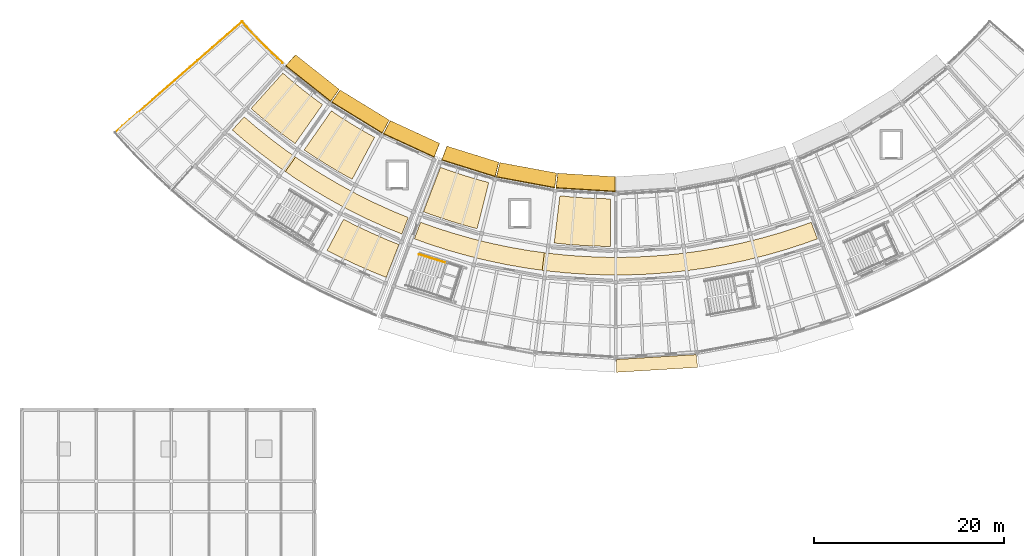
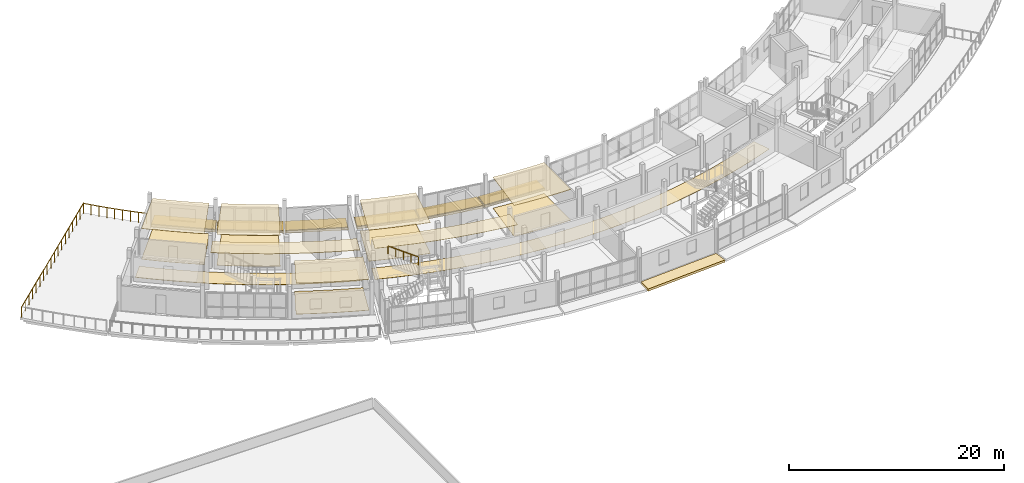
# One storey, part 33 of 36: 21 coverings, 6 shading devices, 3 railings.
"""IFC4 building model written with IfcOpenShell, lengths in metres."""

import ifcopenshell
import ifcopenshell.guid

model = None  # the IFC model being written
_history = None  # IfcOwnerHistory: only IFC2X3 demands one
_inside = {}  # id of a spatial element -> (the spatial element, [elements in it])
_under = {}  # id of a project, library or spatial element -> (it, [spatial elements below it])
_declared = {}  # id of a project -> (the project, [libraries it declares])
_typed = {}  # id of a type object -> (the type object, [elements of that type])
_made_of = {}  # id of a material, layer set ... -> (it, [elements and type objects made of it])


def new_model(schema):
    """Start an empty IFC model of exactly this schema.

    Asked for "IFC4X3", IfcOpenShell would pick the latest addendum, in which some entities
    have other attributes; the version numbers below select the first issue.
    IFC2X3 requires an IfcOwnerHistory on every rooted entity: one is made here for all.
    """
    global model, _history
    if schema == "IFC4X3":
        model = ifcopenshell.file(schema_version=(4, 3, 0, 0))
    else:
        model = ifcopenshell.file(schema=schema)
    _inside.clear()
    _under.clear()
    _declared.clear()
    _typed.clear()
    _made_of.clear()
    _history = None
    if model.schema == "IFC2X3":
        org = make("IfcOrganization", Name="unknown")
        user = make(
            "IfcPersonAndOrganization",
            ThePerson=make("IfcPerson", FamilyName="unknown"),
            TheOrganization=org,
        )
        app = make(
            "IfcApplication",
            ApplicationDeveloper=org,
            Version="unknown",
            ApplicationFullName="unknown",
            ApplicationIdentifier="unknown",
        )
        _history = make(
            "IfcOwnerHistory",
            OwningUser=user,
            OwningApplication=app,
            ChangeAction="ADDED",
            CreationDate=0,
        )
    return model


def make(cls, **values):
    """One entity of the class cls with the attributes given. An attribute that is None is left unset."""
    return model.create_entity(
        cls, **{name: value for name, value in values.items() if value is not None}
    )


def rooted(cls, **values):
    """An entity with a GlobalId (a new one), such as an element, a storey or a relation."""
    return make(cls, GlobalId=ifcopenshell.guid.new(), OwnerHistory=_history, **values)


def si_unit(unit_type, name, prefix=None):
    """IfcSIUnit, for example si_unit("LENGTHUNIT", "METRE", prefix="MILLI")."""
    return make("IfcSIUnit", UnitType=unit_type, Prefix=prefix, Name=name)


def assignment(units):
    """IfcUnitAssignment: the units of a project."""
    return None if units is None else make("IfcUnitAssignment", Units=units)


def point(xyz):
    """IfcCartesianPoint."""
    return None if xyz is None else make("IfcCartesianPoint", Coordinates=xyz)


def direction(xyz):
    """IfcDirection."""
    return None if xyz is None else make("IfcDirection", DirectionRatios=xyz)


def frame(location, z_axis=None, x_axis=None):
    """IfcAxis2Placement3D, a coordinate frame: its origin and axes. An axis left out is left unset."""
    return make(
        "IfcAxis2Placement3D",
        Location=point(location),
        Axis=direction(z_axis),
        RefDirection=direction(x_axis),
    )


def frame_2d(location, x_axis=None):
    """IfcAxis2Placement2D, a coordinate frame in the plane: its origin and x axis."""
    return make(
        "IfcAxis2Placement2D", Location=point(location), RefDirection=direction(x_axis)
    )


def origin():
    """The frame at (0, 0, 0) with its axes left unset."""
    return frame((0.0, 0.0, 0.0))


def origin_2d():
    """The frame at (0, 0) in the plane with its x axis left unset."""
    return frame_2d((0.0, 0.0))


def place(relative_to, where):
    """IfcLocalPlacement: puts the frame where relative to a parent placement (None: the world)."""
    return make(
        "IfcLocalPlacement", PlacementRelTo=relative_to, RelativePlacement=where
    )


def context(
    kind, dimensions, precision=None, world=None, true_north=None, identifier=None
):
    """IfcGeometricRepresentationContext, for example the 3D "Model" context."""
    return make(
        "IfcGeometricRepresentationContext",
        ContextIdentifier=identifier,
        ContextType=kind,
        CoordinateSpaceDimension=dimensions,
        Precision=precision,
        WorldCoordinateSystem=world,
        TrueNorth=true_north,
    )


def subcontext(parent, identifier, kind, view, scale=None):
    """IfcGeometricRepresentationSubContext, for example "Body" below "Model"."""
    return make(
        "IfcGeometricRepresentationSubContext",
        ContextIdentifier=identifier,
        ContextType=kind,
        ParentContext=parent,
        TargetScale=scale,
        TargetView=view,
    )


def project(units=None, contexts=None):
    """IfcProject with its units and contexts."""
    return rooted(
        "IfcProject",
        Name="project",
        RepresentationContexts=contexts,
        UnitsInContext=assignment(units),
    )


def spatial(cls, under=None, at=None, **own):
    """A site, building, storey or space (cls), placed at a placement, below another one or the project."""
    s = rooted(cls, ObjectPlacement=at, **own)
    if under is not None:
        _under.setdefault(under.id(), (under, []))[1].append(s)
    return s


def polyline(points):
    """IfcPolyline through the points."""
    return make("IfcPolyline", Points=[point(p) for p in points])


def profile(cls, at=None, kind="AREA", **sizes):
    """A parametric profile (cls). Its sizes go by their IFC names, for example OverallWidth=200.0."""
    return make(cls, ProfileType=kind, Position=at, **sizes)


def circle(**sizes):
    """IfcCircleProfileDef."""
    return profile("IfcCircleProfileDef", **sizes)


def outline(outer, holes=None, kind="AREA"):
    """IfcArbitraryClosedProfileDef: a profile drawn as a closed curve; with holes, ...WithVoids."""
    if holes is None:
        return make("IfcArbitraryClosedProfileDef", ProfileType=kind, OuterCurve=outer)
    return make(
        "IfcArbitraryProfileDefWithVoids",
        ProfileType=kind,
        OuterCurve=outer,
        InnerCurves=holes,
    )


def extrude(swept, where, along, depth):
    """IfcExtrudedAreaSolid: the profile swept, set in the frame where, extruded along a direction by depth."""
    return make(
        "IfcExtrudedAreaSolid",
        SweptArea=swept,
        Position=where,
        ExtrudedDirection=direction(along),
        Depth=depth,
    )


def shape(context_of_items, identifier, shape_type, items):
    """IfcShapeRepresentation: the items that make up one representation, for example the "Body"."""
    return make(
        "IfcShapeRepresentation",
        ContextOfItems=context_of_items,
        RepresentationIdentifier=identifier,
        RepresentationType=shape_type,
        Items=items,
    )


def material(Name=None, Category=None):
    """IfcMaterial."""
    return make("IfcMaterial", Name=Name, Category=Category)


def layer(
    of_material, thickness, ventilated=None, Name=None, Category=None, Priority=None
):
    """IfcMaterialLayer: one layer of a wall or slab, of a material (None: an air gap)."""
    return make(
        "IfcMaterialLayer",
        Material=of_material,
        LayerThickness=thickness,
        IsVentilated=ventilated,
        Name=Name,
        Category=Category,
        Priority=Priority,
    )


def layer_set(layers, Name=None):
    """IfcMaterialLayerSet."""
    return make("IfcMaterialLayerSet", MaterialLayers=layers, LayerSetName=Name)


def made_of(thing, what):
    """Note that an element or type object is made of a material, layer set ...; save() writes the relation."""
    if what is not None:
        _made_of.setdefault(what.id(), (what, []))[1].append(thing)
    return thing


def type_object(cls, material=None, **own):
    """A type object (cls), such as IfcWallType, which elements share."""
    return made_of(rooted(cls, **own), material)


def element(
    cls,
    number,
    at=None,
    inside=None,
    cuts=None,
    type_object=None,
    material=None,
    context=None,
    identifier="Body",
    shape_type=None,
    held_by="IfcProductDefinitionShape",
    body=None,
    shapes=None,
    **own,
):
    """One element of the class cls, such as IfcWall. Its Tag is "e" and its number.

    at: its placement. inside: the storey or other place that contains it. cuts: it is an
    opening in that element (IfcRelVoidsElement). A single representation is given by context,
    identifier, shape_type and body (its items); several are given by shapes. held_by: the class
    of the entity that holds the representations. save() writes the other relations.
    """
    e = rooted(cls, Tag="e%d" % number, ObjectPlacement=at, **own)
    if body is not None:
        shapes = [shape(context, identifier, shape_type, body)]
    if shapes is not None:
        e.Representation = make(held_by, Representations=shapes)
    if inside is not None:
        _inside.setdefault(inside.id(), (inside, []))[1].append(e)
    if cuts is not None:
        rooted(
            "IfcRelVoidsElement", RelatingBuildingElement=cuts, RelatedOpeningElement=e
        )
    if type_object is not None:
        _typed.setdefault(type_object.id(), (type_object, []))[1].append(e)
    return made_of(e, material)


def aggregate(whole, parts):
    """IfcRelAggregates: a whole, such as a stair, and the parts it consists of."""
    return rooted("IfcRelAggregates", RelatingObject=whole, RelatedObjects=parts)


def save(model, path):
    """Write the relations noted so far, then the file.

    IfcRelAggregates (storeys below a building ...), IfcRelContainedInSpatialStructure (elements
    in a storey), IfcRelDefinesByType, IfcRelAssociatesMaterial and IfcRelDeclares: one each for
    every whole, place, type object, material and project.
    """
    for whole, parts in _under.values():
        aggregate(whole, parts)
    for where, things in _inside.values():
        rooted(
            "IfcRelContainedInSpatialStructure",
            RelatedElements=things,
            RelatingStructure=where,
        )
    for kind, things in _typed.values():
        rooted("IfcRelDefinesByType", RelatedObjects=things, RelatingType=kind)
    for what, things in _made_of.values():
        rooted("IfcRelAssociatesMaterial", RelatedObjects=things, RelatingMaterial=what)
    for by, libraries in _declared.values():
        rooted("IfcRelDeclares", RelatingContext=by, RelatedDefinitions=libraries)
    model.write(path)


model = new_model("IFC4")

# Units and contexts
model_context = context("Model", 3, precision=1e-05, world=origin(), true_north=direction((0.0, 1.0)))
body_context = subcontext(model_context, "Body", "Model", "MODEL_VIEW")
ifc_project = project(units=[si_unit("LENGTHUNIT", "METRE"), si_unit("AREAUNIT", "SQUARE_METRE"), si_unit("VOLUMEUNIT", "CUBIC_METRE"), si_unit("PLANEANGLEUNIT", "RADIAN"), si_unit("MASSUNIT", "GRAM", prefix="KILO")], contexts=[model_context])

# Site, building, storey
site_placement = place(None, origin())
site = spatial("IfcSite", under=ifc_project, at=site_placement, CompositionType="ELEMENT")
building_placement = place(site_placement, origin())
building = spatial("IfcBuilding", under=site, at=building_placement, Name="Caldaven Crescent School", CompositionType="ELEMENT")
storey_placement = place(building_placement, frame((0.0, 0.0, 11.89990234375)))
storey = spatial("IfcBuildingStorey", under=building, at=storey_placement, Name="L03", CompositionType="ELEMENT", Elevation=11.89990234375)

# Coverings
ifc_material_1 = material(Name="White architectural GFRC precast concrete C35/45 cladding", Category="concrete")
ifc_layer_1 = layer(ifc_material_1, 0.260009765625)
ifc_layer_set_1 = layer_set([ifc_layer_1], Name="White architectural GFRC precast concrete C35/45 cladding")
covering_type_1 = type_object("IfcCoveringType", Name="COV-CLD1", PredefinedType="CLADDING", material=ifc_layer_set_1)
covering_1_placement = place(storey_placement, frame((0.0, 0.0, -0.260009765625)))
element("IfcCovering", 1, at=covering_1_placement, inside=storey, type_object=covering_type_1, Name="CLD-IN-L03-064", PredefinedType="CLADDING", context=body_context, shape_type="SweptSolid", body=[
    extrude(outline(polyline([(70.241943359375, 48.618408203125), (75.707275390625, 46.915771484375), (75.318603515625, 45.36376953125), (69.680419921875, 47.120361328125), (70.241943359375, 48.618408203125)])), origin(), (0.0, 0.0, 1.0), 0.260009765625),
])
covering_2_placement = place(storey_placement, frame((0.0, 0.0, -0.260009765625)))
element("IfcCovering", 2, at=covering_2_placement, inside=storey, type_object=covering_type_1, Name="CLD-IN-L03-066", PredefinedType="CLADDING", context=body_context, shape_type="SweptSolid", body=[
    extrude(outline(polyline([(75.81005859375, 46.89013671875), (81.78076171875, 45.78369140625), (81.584228515625, 44.19580078125), (75.4248046875, 45.33740234375), (75.81005859375, 46.89013671875)])), origin(), (0.0, 0.0, 1.0), 0.260009765625),
])
covering_3_placement = place(storey_placement, frame((0.0, 0.0, -0.260009765625)))
element("IfcCovering", 3, at=covering_3_placement, inside=storey, type_object=covering_type_1, Name="CLD-IN-L03-068", PredefinedType="CLADDING", context=body_context, shape_type="SweptSolid", body=[
    extrude(outline(polyline([(81.885986328125, 45.770751953125), (87.947021484375, 45.400146484375), (87.9453125, 43.800048828125), (81.692626953125, 44.182373046875), (81.885986328125, 45.770751953125)])), origin(), (0.0, 0.0, 1.0), 0.260009765625),
])
covering_4_placement = place(storey_placement, frame((0.0, 0.0, -0.260009765625)))
element("IfcCovering", 4, at=covering_4_placement, inside=storey, type_object=covering_type_1, Name="CLD-OUT-L03-071", PredefinedType="CLADDING", context=body_context, shape_type="SweptSolid", body=[
    extrude(outline(polyline([(88.072998046875, 26.199951171875), (96.433837890625, 26.71142578125), (96.59716796875, 25.371337890625), (88.074462890625, 24.85009765625), (88.072998046875, 26.199951171875)])), origin(), (0.0, 0.0, 1.0), 0.260009765625),
])
ifc_layer_2 = layer(ifc_material_1, 0.260009765625)
ifc_layer_set_2 = layer_set([ifc_layer_2], Name="White architectural GFRC precast concrete C35/45 cladding")
covering_type_2 = type_object("IfcCoveringType", Name="COV-CLD2", PredefinedType="CLADDING", material=ifc_layer_set_2)
covering_5_placement = place(storey_placement, frame((0.0, 0.0, -0.260009765625)))
element("IfcCovering", 5, at=covering_5_placement, inside=storey, type_object=covering_type_2, Name="CLD-IN-L03-061", PredefinedType="CLADDING", context=body_context, shape_type="SweptSolid", body=[
    extrude(outline(polyline([(54.3359375, 58.22314453125), (58.93359375, 54.581298828125), (58.0146484375, 53.271728515625), (53.271484375, 57.028564453125), (54.3359375, 58.22314453125)])), origin(), (0.0, 0.0, 1.0), 0.260009765625),
])
covering_6_placement = place(storey_placement, frame((0.0, 0.0, -0.260009765625)))
element("IfcCovering", 6, at=covering_6_placement, inside=storey, type_object=covering_type_2, Name="CLD-IN-L03-062", PredefinedType="CLADDING", context=body_context, shape_type="SweptSolid", body=[
    extrude(outline(polyline([(59.0205078125, 54.5205078125), (64.197998046875, 51.34765625), (63.4453125, 49.935791015625), (58.10400390625, 53.208984375), (59.0205078125, 54.5205078125)])), origin(), (0.0, 0.0, 1.0), 0.260009765625),
])
covering_7_placement = place(storey_placement, frame((0.0, 0.0, -0.260009765625)))
element("IfcCovering", 7, at=covering_7_placement, inside=storey, type_object=covering_type_2, Name="CLD-IN-L03-063", PredefinedType="CLADDING", context=body_context, shape_type="SweptSolid", body=[
    extrude(outline(polyline([(64.29150390625, 51.298095703125), (69.492431640625, 48.90625), (68.9072265625, 47.4169921875), (63.541748046875, 49.884521484375), (64.29150390625, 51.298095703125)])), origin(), (0.0, 0.0, 1.0), 0.260009765625),
])
ifc_material_2 = material(Name="Perforated Pino Radiata acoustic timber baffle ceiling", Category="wood")
ifc_layer_3 = layer(ifc_material_2, 0.030029296875)
ifc_layer_set_3 = layer_set([ifc_layer_3], Name="Perforated Pino Radiata acoustic timber baffle ceiling")
covering_type_3 = type_object("IfcCoveringType", Name="COV-CLG1", PredefinedType="CEILING", material=ifc_layer_set_3)
covering_8_placement = place(storey_placement, frame((0.0, 0.0, 3.47998046875)))
element("IfcCovering", 8, at=covering_8_placement, inside=storey, type_object=covering_type_3, Name="CLG-L03-164", PredefinedType="CEILING", context=body_context, shape_type="SweptSolid", body=[
    extrude(outline(polyline([(53.842041015625, 55.567138671875), (53.85205078125, 55.55859375), (55.045166015625, 54.580810546875), (55.055419921875, 54.572509765625), (56.27685546875, 53.6298828125), (56.287353515625, 53.6220703125), (57.177001953125, 52.976318359375), (54.2998046875, 48.88720703125), (53.285888671875, 49.623291015625), (51.937744140625, 50.66357421875), (50.620849609375, 51.742919921875), (49.67578125, 52.5654296875), (53.0126953125, 56.288818359375), (53.842041015625, 55.567138671875)])), origin(), (0.0, 0.0, 1.0), 0.030029296875),
])
covering_9_placement = place(storey_placement, frame((0.0, 0.0, 3.510009765625)))
element("IfcCovering", 9, at=covering_9_placement, inside=storey, type_object=covering_type_3, Name="CLG-L03-168", PredefinedType="CEILING", context=body_context, shape_type="SweptSolid", body=[
    extrude(outline(polyline([(68.972900390625, 40.078369140625), (68.987548828125, 40.073486328125), (70.91357421875, 39.455078125), (70.928466796875, 39.45068359375), (72.87451171875, 38.8994140625), (72.889404296875, 38.8955078125), (74.853515625, 38.41162109375), (74.86865234375, 38.408203125), (76.848388671875, 37.9921875), (76.863525390625, 37.989501953125), (78.856201171875, 37.64208984375), (78.87158203125, 37.6396484375), (80.481689453125, 37.416015625), (80.252685546875, 35.5703125), (78.576416015625, 35.80322265625), (76.5048828125, 36.164306640625), (74.447509765625, 36.596435546875), (72.406005859375, 37.099365234375), (70.383056640625, 37.67236328125), (68.381103515625, 38.31494140625), (66.826171875, 38.8740234375), (67.4853515625, 40.613037109375), (68.972900390625, 40.078369140625)])), origin(), (0.0, 0.0, 1.0), 0.030029296875),
])
ifc_layer_4 = layer(ifc_material_2, 0.0380859375)
ifc_layer_set_4 = layer_set([ifc_layer_4], Name="Perforated Pino Radiata acoustic timber baffle ceiling")
covering_type_4 = type_object("IfcCoveringType", Name="COV-CLG2", PredefinedType="CEILING", material=ifc_layer_set_4)
covering_10_placement = place(storey_placement, frame((0.0, 0.0, 3.502197265625)))
element("IfcCovering", 10, at=covering_10_placement, inside=storey, type_object=covering_type_4, Name="CLG-L03-169", PredefinedType="CEILING", context=body_context, shape_type="SweptSolid", body=[
    extrude(outline(polyline([(70.6005859375, 46.01171875), (70.613037109375, 46.00732421875), (72.077392578125, 45.521728515625), (72.090087890625, 45.517822265625), (73.56787109375, 45.07568359375), (73.58056640625, 45.072021484375), (74.642333984375, 44.7880859375), (73.421630859375, 39.939453125), (72.21142578125, 40.26318359375), (70.580078125, 40.751220703125), (68.9638671875, 41.287109375), (67.78662109375, 41.716064453125), (69.56787109375, 46.38818359375), (70.6005859375, 46.01171875)])), origin(), (0.0, 0.0, 1.0), 0.037841796875),
])
ifc_layer_5 = layer(ifc_material_2, 0.0458984375)
ifc_layer_set_5 = layer_set([ifc_layer_5], Name="Perforated Pino Radiata acoustic timber baffle ceiling")
covering_type_5 = type_object("IfcCoveringType", Name="COV-CLG3", PredefinedType="CEILING", material=ifc_layer_set_5)
covering_11_placement = place(storey_placement, frame((0.0, 0.0, 3.494140625)))
element("IfcCovering", 11, at=covering_11_placement, inside=storey, type_object=covering_type_5, Name="CLG-L03-166", PredefinedType="CEILING", context=body_context, shape_type="SweptSolid", body=[
    extrude(outline(polyline([(59.024169921875, 51.705810546875), (59.035400390625, 51.698486328125), (60.338623046875, 50.873291015625), (60.349853515625, 50.8662109375), (61.6767578125, 50.07958984375), (61.688232421875, 50.072998046875), (62.64990234375, 49.540771484375), (60.29248046875, 45.131591796875), (59.196533203125, 45.73828125), (57.731689453125, 46.606689453125), (56.29296875, 47.517578125), (55.2548828125, 48.218505859375), (58.11328125, 52.32080078125), (59.024169921875, 51.705810546875)])), origin(), (0.0, 0.0, 1.0), 0.0458984375),
])
ifc_layer_6 = layer(ifc_material_2, 0.053955078125)
ifc_layer_set_6 = layer_set([ifc_layer_6], Name="Perforated Pino Radiata acoustic timber baffle ceiling")
covering_type_6 = type_object("IfcCoveringType", Name="COV-CLG4", PredefinedType="CEILING", material=ifc_layer_set_6)
covering_12_placement = place(storey_placement, frame((0.0, 0.0, 3.486083984375)))
element("IfcCovering", 12, at=covering_12_placement, inside=storey, type_object=covering_type_6, Name="CLG-L03-163", PredefinedType="CEILING", context=body_context, shape_type="SweptSolid", body=[
    extrude(outline(polyline([(55.309326171875, 46.80078125), (55.32275390625, 46.791748046875), (57.09814453125, 45.65771484375), (57.112060546875, 45.6494140625), (58.927001953125, 44.580078125), (58.94091796875, 44.572021484375), (60.793212890625, 43.568603515625), (60.8076171875, 43.56103515625), (62.69482421875, 42.625), (62.70947265625, 42.617919921875), (64.62890625, 41.75), (64.643798828125, 41.74365234375), (66.184326171875, 41.11279296875), (65.510498046875, 39.37939453125), (63.900634765625, 40.03857421875), (61.905517578125, 40.940673828125), (59.944091796875, 41.913818359375), (58.018798828125, 42.956787109375), (56.13232421875, 44.068359375), (54.286865234375, 45.246826171875), (53.279052734375, 45.942626953125), (54.34521484375, 47.46630859375), (55.309326171875, 46.80078125)])), origin(), (0.0, 0.0, 1.0), 0.053955078125),
])
covering_13_placement = place(storey_placement, frame((0.0, 0.0, 3.486083984375)))
element("IfcCovering", 13, at=covering_13_placement, inside=storey, type_object=covering_type_6, Name="CLG-L03-167", PredefinedType="CEILING", context=body_context, shape_type="SweptSolid", body=[
    extrude(outline(polyline([(60.60498046875, 40.302490234375), (60.616943359375, 40.296875), (62.25390625, 39.521484375), (62.26611328125, 39.51611328125), (63.925048828125, 38.789306640625), (63.937255859375, 38.7841796875), (65.205810546875, 38.272216796875), (63.8720703125, 34.821044921875), (62.496337890625, 35.376220703125), (60.7255859375, 36.15185546875), (58.978515625, 36.9794921875), (57.6572265625, 37.6533203125), (59.38671875, 40.92431640625), (60.60498046875, 40.302490234375)])), origin(), (0.0, 0.0, 1.0), 0.053955078125),
])
covering_14_placement = place(storey_placement, frame((0.0, 0.0, 3.486083984375)))
element("IfcCovering", 14, at=covering_14_placement, inside=storey, type_object=covering_type_6, Name="CLG-L03-171", PredefinedType="CEILING", context=body_context, shape_type="SweptSolid", body=[
    extrude(outline(polyline([(83.210693359375, 43.287109375), (83.223876953125, 43.285888671875), (84.76220703125, 43.169189453125), (84.775390625, 43.16845703125), (86.316162109375, 43.096923828125), (86.329345703125, 43.096435546875), (87.4287109375, 43.07763671875), (87.4169921875, 38.077880859375), (86.16455078125, 38.09912109375), (84.46337890625, 38.177978515625), (82.765625, 38.306884765625), (81.519775390625, 38.438720703125), (82.11767578125, 43.402587890625), (83.210693359375, 43.287109375)])), origin(), (0.0, 0.0, 1.0), 0.053955078125),
])
ifc_material_3 = material(Name="Polished terrazzo and acoustic linoleum flooring")
ifc_layer_7 = layer(ifc_material_3, 0.02001953125)
ifc_layer_set_7 = layer_set([ifc_layer_7], Name="Polished terrazzo and acoustic linoleum flooring")
covering_type_7 = type_object("IfcCoveringType", Name="COV-FLR1", PredefinedType="FLOORING", material=ifc_layer_set_7)
covering_15_placement = place(storey_placement, origin())
element("IfcCovering", 15, at=covering_15_placement, inside=storey, type_object=covering_type_7, Name="FLR-L03-168", PredefinedType="FLOORING", context=body_context, shape_type="SweptSolid", body=[
    extrude(outline(polyline([(67.4853515625, 40.613037109375), (68.972900390625, 40.078369140625), (68.987548828125, 40.073486328125), (70.91357421875, 39.455078125), (70.928466796875, 39.45068359375), (72.87451171875, 38.8994140625), (72.889404296875, 38.8955078125), (74.853515625, 38.41162109375), (74.86865234375, 38.408203125), (76.848388671875, 37.9921875), (76.863525390625, 37.989501953125), (78.856201171875, 37.64208984375), (78.87158203125, 37.6396484375), (80.875244140625, 37.361328125), (80.890625, 37.359375), (82.902587890625, 37.150390625), (82.918212890625, 37.149169921875), (84.93603515625, 37.009521484375), (84.951416015625, 37.0087890625), (86.97314453125, 36.93896484375), (86.988525390625, 36.938720703125), (89.011474609375, 36.938720703125), (89.02685546875, 36.93896484375), (91.048583984375, 37.0087890625), (91.06396484375, 37.009521484375), (93.081787109375, 37.149169921875), (93.097412109375, 37.150390625), (95.109375, 37.359375), (95.124755859375, 37.361328125), (97.12841796875, 37.6396484375), (97.143798828125, 37.64208984375), (99.136474609375, 37.989501953125), (99.151611328125, 37.9921875), (101.13134765625, 38.408203125), (101.146484375, 38.41162109375), (103.110595703125, 38.8955078125), (103.12548828125, 38.8994140625), (105.071533203125, 39.45068359375), (105.08642578125, 39.455078125), (107.012451171875, 40.073486328125), (107.027099609375, 40.078369140625), (108.5146484375, 40.613037109375), (109.173828125, 38.8740234375), (107.618896484375, 38.31494140625), (105.616943359375, 37.67236328125), (103.593994140625, 37.099365234375), (101.552490234375, 36.596435546875), (99.4951171875, 36.164306640625), (97.423583984375, 35.80322265625), (95.34130859375, 35.513916015625), (93.25, 35.296630859375), (91.152587890625, 35.151611328125), (89.05126953125, 35.0791015625), (86.94873046875, 35.0791015625), (84.847412109375, 35.151611328125), (82.75, 35.296630859375), (80.65869140625, 35.513916015625), (78.576416015625, 35.80322265625), (76.5048828125, 36.164306640625), (74.447509765625, 36.596435546875), (72.406005859375, 37.099365234375), (70.383056640625, 37.67236328125), (68.381103515625, 38.31494140625), (66.826171875, 38.8740234375), (67.4853515625, 40.613037109375)])), origin(), (0.0, 0.0, 1.0), 0.02001953125),
])
covering_16_placement = place(storey_placement, origin())
element("IfcCovering", 16, at=covering_16_placement, inside=storey, type_object=covering_type_7, Name="FLR-L03-171", PredefinedType="FLOORING", context=body_context, shape_type="SweptSolid", body=[
    extrude(outline(polyline([(82.11767578125, 43.402587890625), (83.210693359375, 43.287109375), (83.223876953125, 43.285888671875), (84.76220703125, 43.169189453125), (84.775390625, 43.16845703125), (86.316162109375, 43.096923828125), (86.329345703125, 43.096435546875), (87.4287109375, 43.07763671875), (87.4169921875, 38.077880859375), (86.16455078125, 38.09912109375), (84.46337890625, 38.177978515625), (82.765625, 38.306884765625), (81.519775390625, 38.438720703125), (82.11767578125, 43.402587890625)])), origin(), (0.0, 0.0, 1.0), 0.02001953125),
])
ifc_layer_8 = layer(ifc_material_3, 0.02587890625)
ifc_layer_set_8 = layer_set([ifc_layer_8], Name="Polished terrazzo and acoustic linoleum flooring")
covering_type_8 = type_object("IfcCoveringType", Name="COV-FLR2", PredefinedType="FLOORING", material=ifc_layer_set_8)
covering_17_placement = place(storey_placement, origin())
element("IfcCovering", 17, at=covering_17_placement, inside=storey, type_object=covering_type_8, Name="FLR-L03-163", PredefinedType="FLOORING", context=body_context, shape_type="SweptSolid", body=[
    extrude(outline(polyline([(48.94482421875, 51.69189453125), (50.204833984375, 50.60400390625), (50.21728515625, 50.59375), (51.8603515625, 49.275390625), (51.873291015625, 49.265380859375), (53.562744140625, 48.007080078125), (53.57568359375, 47.99755859375), (55.309326171875, 46.80078125), (55.32275390625, 46.791748046875), (57.09814453125, 45.65771484375), (57.112060546875, 45.6494140625), (58.927001953125, 44.580078125), (58.94091796875, 44.572021484375), (60.793212890625, 43.568603515625), (60.8076171875, 43.56103515625), (62.69482421875, 42.625), (62.70947265625, 42.617919921875), (64.62890625, 41.75), (64.643798828125, 41.74365234375), (66.184326171875, 41.11279296875), (65.510498046875, 39.37939453125), (63.900634765625, 40.03857421875), (61.905517578125, 40.940673828125), (59.944091796875, 41.913818359375), (58.018798828125, 42.956787109375), (56.13232421875, 44.068359375), (54.286865234375, 45.246826171875), (52.485107421875, 46.490966796875), (50.72900390625, 47.799072265625), (49.021240234375, 49.169189453125), (47.704345703125, 50.30615234375), (48.94482421875, 51.69189453125)])), origin(), (0.0, 0.0, 1.0), 0.026123046875),
])
covering_18_placement = place(storey_placement, origin())
element("IfcCovering", 18, at=covering_18_placement, inside=storey, type_object=covering_type_8, Name="FLR-L03-166", PredefinedType="FLOORING", context=body_context, shape_type="SweptSolid", body=[
    extrude(outline(polyline([(58.11328125, 52.32080078125), (59.024169921875, 51.705810546875), (59.035400390625, 51.698486328125), (60.338623046875, 50.873291015625), (60.349853515625, 50.8662109375), (61.6767578125, 50.07958984375), (61.688232421875, 50.072998046875), (62.64990234375, 49.540771484375), (60.29248046875, 45.131591796875), (59.196533203125, 45.73828125), (57.731689453125, 46.606689453125), (56.29296875, 47.517578125), (55.2548828125, 48.218505859375), (58.11328125, 52.32080078125)])), origin(), (0.0, 0.0, 1.0), 0.026123046875),
])
covering_19_placement = place(storey_placement, origin())
element("IfcCovering", 19, at=covering_19_placement, inside=storey, type_object=covering_type_8, Name="FLR-L03-169", PredefinedType="FLOORING", context=body_context, shape_type="SweptSolid", body=[
    extrude(outline(polyline([(69.56787109375, 46.38818359375), (70.6005859375, 46.01171875), (70.613037109375, 46.00732421875), (72.077392578125, 45.521728515625), (72.090087890625, 45.517822265625), (73.56787109375, 45.07568359375), (73.58056640625, 45.072021484375), (74.642333984375, 44.7880859375), (73.421630859375, 39.939453125), (72.21142578125, 40.26318359375), (70.580078125, 40.751220703125), (68.9638671875, 41.287109375), (67.78662109375, 41.716064453125), (69.56787109375, 46.38818359375)])), origin(), (0.0, 0.0, 1.0), 0.026123046875),
])
ifc_layer_9 = layer(ifc_material_3, 0.031982421875)
ifc_layer_set_9 = layer_set([ifc_layer_9], Name="Polished terrazzo and acoustic linoleum flooring")
covering_type_9 = type_object("IfcCoveringType", Name="COV-FLR3", PredefinedType="FLOORING", material=ifc_layer_set_9)
covering_20_placement = place(storey_placement, origin())
element("IfcCovering", 20, at=covering_20_placement, inside=storey, type_object=covering_type_9, Name="FLR-L03-164", PredefinedType="FLOORING", context=body_context, shape_type="SweptSolid", body=[
    extrude(outline(polyline([(53.0126953125, 56.288818359375), (53.842041015625, 55.567138671875), (53.85205078125, 55.55859375), (55.045166015625, 54.580810546875), (55.055419921875, 54.572509765625), (56.27685546875, 53.6298828125), (56.287353515625, 53.6220703125), (57.177001953125, 52.976318359375), (54.2998046875, 48.88720703125), (53.285888671875, 49.623291015625), (51.937744140625, 50.66357421875), (50.620849609375, 51.742919921875), (49.67578125, 52.5654296875), (53.0126953125, 56.288818359375)])), origin(), (0.0, 0.0, 1.0), 0.031982421875),
])
covering_21_placement = place(storey_placement, origin())
element("IfcCovering", 21, at=covering_21_placement, inside=storey, type_object=covering_type_9, Name="FLR-L03-167", PredefinedType="FLOORING", context=body_context, shape_type="SweptSolid", body=[
    extrude(outline(polyline([(59.38671875, 40.92431640625), (60.60498046875, 40.302490234375), (60.616943359375, 40.296875), (62.25390625, 39.521484375), (62.26611328125, 39.51611328125), (63.925048828125, 38.789306640625), (63.937255859375, 38.7841796875), (65.205810546875, 38.272216796875), (63.8720703125, 34.821044921875), (62.496337890625, 35.376220703125), (60.7255859375, 36.15185546875), (58.978515625, 36.9794921875), (57.6572265625, 37.6533203125), (59.38671875, 40.92431640625)])), origin(), (0.0, 0.0, 1.0), 0.031982421875),
])

# Railings
ifc_material_4 = material(Name="Galvanised powder-coated steel balustrade ASTM A572 Grade 50", Category="steel")
railing_type_1 = type_object("IfcRailingType", Name="RAL-EXT4", PredefinedType="BALUSTRADE", material=ifc_material_4)
railing_1_placement = place(storey_placement, frame((48.72802734375, 61.702880859375, 0.0)))
element("IfcRailing", 22, at=railing_1_placement, inside=storey, type_object=railing_type_1, Name="GD-PD-L03-W-IN", PredefinedType="BALUSTRADE", context=body_context, shape_type="SweptSolid", body=[
    extrude(circle(Radius=0.02392578125, at=origin_2d()), frame((0.0, 0.0, 1.15576171875), z_axis=(0.663327926797, -0.74832884585, 0.0), x_axis=(0.74832884585, 0.663327926797, 0.0)), (0.0, 0.0, 1.0), 0.76123046875),
    extrude(circle(Radius=0.02392578125, at=origin_2d()), frame((0.5048828125, -0.569580078125, 1.15576171875), z_axis=(0.674124799154, -0.738617461996, 0.0), x_axis=(0.738617461996, 0.674124799154, 0.0)), (0.0, 0.0, 1.0), 0.760986328125),
    extrude(circle(Radius=0.02392578125, at=origin_2d()), frame((1.017822265625, -1.131591796875, 1.15576171875), z_axis=(0.684623816208, -0.728896584079, 0.0), x_axis=(0.728896584079, 0.684623816208, 0.0)), (0.0, 0.0, 1.0), 0.760986328125),
    extrude(circle(Radius=0.02392578125, at=origin_2d()), frame((1.538818359375, -1.686279296875, 1.15576171875), z_axis=(0.695464174777, -0.718560770987, 0.0), x_axis=(0.718560770987, 0.695464174777, 0.0)), (0.0, 0.0, 1.0), 0.760986328125),
    extrude(circle(Radius=0.02392578125, at=origin_2d()), frame((2.068115234375, -2.233154296875, 1.15576171875), z_axis=(0.705822303378, -0.708388929935, 0.0), x_axis=(0.708388929935, 0.705822303378, 0.0)), (0.0, 0.0, 1.0), 0.760986328125),
    extrude(circle(Radius=0.02392578125, at=origin_2d()), frame((2.605224609375, -2.772216796875, 1.15576171875), z_axis=(0.716192575608, -0.697902711446, 0.0), x_axis=(0.697902711446, 0.716192575608, 0.0)), (0.0, 0.0, 1.0), 0.7607421875),
    extrude(circle(Radius=0.02392578125, at=origin_2d()), frame((3.150146484375, -3.30322265625, 1.15576171875), z_axis=(0.726247641752, -0.687433169733, 0.0), x_axis=(0.687433169733, 0.726247641752, 0.0)), (0.0, 0.0, 1.0), 0.760986328125),
    extrude(circle(Radius=0.02392578125, at=origin_2d()), frame((3.702880859375, -3.826416015625, 1.15576171875), z_axis=(0.736007741814, -0.676973119105, 0.0), x_axis=(0.676973119105, 0.736007741814, 0.0)), (0.0, 0.0, 1.0), 0.760986328125),
    extrude(circle(Radius=0.02099609375, at=origin_2d()), origin(), (0.0, 0.0, 1.0), 1.1318359375),
    extrude(circle(Radius=0.02099609375, at=origin_2d()), frame((0.5048828125, -0.569580078125, 0.0)), (0.0, 0.0, 1.0), 1.1318359375),
    extrude(circle(Radius=0.02099609375, at=origin_2d()), frame((1.017822265625, -1.131591796875, 0.0)), (0.0, 0.0, 1.0), 1.1318359375),
    extrude(circle(Radius=0.02099609375, at=origin_2d()), frame((1.538818359375, -1.686279296875, 0.0)), (0.0, 0.0, 1.0), 1.1318359375),
    extrude(circle(Radius=0.02099609375, at=origin_2d()), frame((2.068115234375, -2.233154296875, 0.0)), (0.0, 0.0, 1.0), 1.1318359375),
    extrude(circle(Radius=0.02099609375, at=origin_2d()), frame((2.605224609375, -2.772216796875, 0.0)), (0.0, 0.0, 1.0), 1.1318359375),
    extrude(circle(Radius=0.02099609375, at=origin_2d()), frame((3.150146484375, -3.30322265625, 0.0)), (0.0, 0.0, 1.0), 1.1318359375),
    extrude(circle(Radius=0.02099609375, at=origin_2d()), frame((3.702880859375, -3.826416015625, 0.0)), (0.0, 0.0, 1.0), 1.1318359375),
    extrude(circle(Radius=0.02099609375, at=origin_2d()), frame((4.262939453125, -4.341552734375, 0.0)), (0.0, 0.0, 1.0), 1.1318359375),
])
railing_2_placement = place(storey_placement, frame((48.75830078125, 61.729248046875, 0.0)))
element("IfcRailing", 23, at=railing_2_placement, inside=storey, type_object=railing_type_1, Name="GD-PD-L03-W-END", PredefinedType="BALUSTRADE", context=body_context, shape_type="SweptSolid", body=[
    extrude(circle(Radius=0.02392578125, at=origin_2d()), frame((0.0, 0.0, 1.15576171875), z_axis=(-0.753205083816, -0.657785756697, 0.0), x_axis=(0.657785756697, -0.753205083816, 0.0)), (0.0, 0.0, 1.0), 17.80029296875),
    extrude(circle(Radius=0.02099609375, at=origin_2d()), origin(), (0.0, 0.0, 1.0), 1.1318359375),
    extrude(circle(Radius=0.02099609375, at=origin_2d()), frame((-0.78857421875, -0.688720703125, 0.0)), (0.0, 0.0, 1.0), 1.1318359375),
    extrude(circle(Radius=0.02099609375, at=origin_2d()), frame((-1.577392578125, -1.37744140625, 0.0)), (0.0, 0.0, 1.0), 1.1318359375),
    extrude(circle(Radius=0.02099609375, at=origin_2d()), frame((-2.365966796875, -2.066162109375, 0.0)), (0.0, 0.0, 1.0), 1.1318359375),
    extrude(circle(Radius=0.02099609375, at=origin_2d()), frame((-3.154541015625, -2.7548828125, 0.0)), (0.0, 0.0, 1.0), 1.1318359375),
    extrude(circle(Radius=0.02099609375, at=origin_2d()), frame((-3.943359375, -3.44384765625, 0.0)), (0.0, 0.0, 1.0), 1.1318359375),
    extrude(circle(Radius=0.02099609375, at=origin_2d()), frame((-4.73193359375, -4.132568359375, 0.0)), (0.0, 0.0, 1.0), 1.1318359375),
    extrude(circle(Radius=0.02099609375, at=origin_2d()), frame((-5.5205078125, -4.8212890625, 0.0)), (0.0, 0.0, 1.0), 1.1318359375),
    extrude(circle(Radius=0.02099609375, at=origin_2d()), frame((-6.309326171875, -5.510009765625, 0.0)), (0.0, 0.0, 1.0), 1.1318359375),
    extrude(circle(Radius=0.02099609375, at=origin_2d()), frame((-7.097900390625, -6.19873046875, 0.0)), (0.0, 0.0, 1.0), 1.1318359375),
    extrude(circle(Radius=0.02099609375, at=origin_2d()), frame((-7.88671875, -6.887451171875, 0.0)), (0.0, 0.0, 1.0), 1.1318359375),
    extrude(circle(Radius=0.02099609375, at=origin_2d()), frame((-8.67529296875, -7.576171875, 0.0)), (0.0, 0.0, 1.0), 1.1318359375),
    extrude(circle(Radius=0.02099609375, at=origin_2d()), frame((-9.4638671875, -8.264892578125, 0.0)), (0.0, 0.0, 1.0), 1.1318359375),
    extrude(circle(Radius=0.02099609375, at=origin_2d()), frame((-10.252685546875, -8.953857421875, 0.0)), (0.0, 0.0, 1.0), 1.1318359375),
    extrude(circle(Radius=0.02099609375, at=origin_2d()), frame((-11.041259765625, -9.642578125, 0.0)), (0.0, 0.0, 1.0), 1.1318359375),
    extrude(circle(Radius=0.02099609375, at=origin_2d()), frame((-11.829833984375, -10.331298828125, 0.0)), (0.0, 0.0, 1.0), 1.1318359375),
    extrude(circle(Radius=0.02099609375, at=origin_2d()), frame((-12.61865234375, -11.02001953125, 0.0)), (0.0, 0.0, 1.0), 1.1318359375),
    extrude(circle(Radius=0.02099609375, at=origin_2d()), frame((-13.4072265625, -11.708740234375, 0.0)), (0.0, 0.0, 1.0), 1.1318359375),
])
ifc_material_5 = material(Name="Brushed stainless-steel continuous tubular handrail", Category="steel")
railing_type_2 = type_object("IfcRailingType", Name="RAL-HR3", PredefinedType="HANDRAIL", material=ifc_material_5)
railing_3_placement = place(storey_placement, frame((70.08056640625, 36.373779296875, 2.043212890625)))
element("IfcRailing", 24, at=railing_3_placement, inside=storey, type_object=railing_type_2, Name="HR-ST2-L03-F2", PredefinedType="HANDRAIL", context=body_context, shape_type="SweptSolid", body=[
    extrude(circle(Radius=0.02392578125, at=origin_2d()), frame((0.0, 0.0, 0.89599609375), z_axis=(-0.822759414235, 0.259436496085, 0.50572685393), x_axis=(-0.300728414298, -0.953709820036, 0.0)), (0.0, 0.0, 1.0), 3.361328125),
    extrude(circle(Radius=0.02099609375, at=origin_2d()), origin(), (0.0, 0.0, 1.0), 0.871826171875),
    extrude(circle(Radius=0.02099609375, at=origin_2d()), frame((-0.69140625, 0.218017578125, 0.425048828125)), (0.0, 0.0, 1.0), 0.871826171875),
    extrude(circle(Radius=0.02099609375, at=origin_2d()), frame((-1.3828125, 0.43603515625, 0.85009765625)), (0.0, 0.0, 1.0), 0.871826171875),
    extrude(circle(Radius=0.02099609375, at=origin_2d()), frame((-2.07421875, 0.654052734375, 1.27490234375)), (0.0, 0.0, 1.0), 0.871826171875),
    extrude(circle(Radius=0.02099609375, at=origin_2d()), frame((-2.765625, 0.8720703125, 1.699951171875)), (0.0, 0.0, 1.0), 0.871826171875),
])

# Shading devices
ifc_material_6 = material(Name="Precast concrete C35/45", Category="concrete")
ifc_layer_10 = layer(ifc_material_6, 0.139892578125)
ifc_layer_set_10 = layer_set([ifc_layer_10], Name="Precast concrete C35/45")
shading_device_type_1 = type_object("IfcShadingDeviceType", Name="SHD-S01", PredefinedType="AWNING", material=ifc_layer_set_10)
shading_device_1_placement = place(storey_placement, frame((0.0, 0.0, -0.139892578125)))
element("IfcShadingDevice", 25, at=shading_device_1_placement, inside=storey, type_object=shading_device_type_1, Name="SHD-LDG-L03-046", PredefinedType="AWNING", context=body_context, shape_type="SweptSolid", body=[
    extrude(outline(polyline([(70.25830078125, 48.6123046875), (75.690185546875, 46.920166015625), (75.3203125, 45.44580078125), (69.7255859375, 47.188720703125), (70.25830078125, 48.6123046875)])), origin(), (0.0, 0.0, 1.0), 0.139892578125),
])
shading_device_2_placement = place(storey_placement, frame((0.0, 0.0, -0.139892578125)))
element("IfcShadingDevice", 26, at=shading_device_2_placement, inside=storey, type_object=shading_device_type_1, Name="SHD-LDG-L03-048", PredefinedType="AWNING", context=body_context, shape_type="SweptSolid", body=[
    extrude(outline(polyline([(75.827392578125, 46.885986328125), (81.76318359375, 45.785888671875), (81.575927734375, 44.27734375), (75.461669921875, 45.41064453125), (75.827392578125, 46.885986328125)])), origin(), (0.0, 0.0, 1.0), 0.139892578125),
])
shading_device_3_placement = place(storey_placement, frame((0.0, 0.0, -0.139892578125)))
element("IfcShadingDevice", 27, at=shading_device_3_placement, inside=storey, type_object=shading_device_type_1, Name="SHD-LDG-L03-050", PredefinedType="AWNING", context=body_context, shape_type="SweptSolid", body=[
    extrude(outline(polyline([(81.903564453125, 45.7685546875), (87.929443359375, 45.400146484375), (87.92724609375, 43.880126953125), (81.720458984375, 44.259765625), (81.903564453125, 45.7685546875)])), origin(), (0.0, 0.0, 1.0), 0.139892578125),
])
ifc_layer_11 = layer(ifc_material_6, 0.1201171875)
ifc_layer_set_11 = layer_set([ifc_layer_11], Name="Precast concrete C35/45")
shading_device_type_2 = type_object("IfcShadingDeviceType", Name="SHD-S03", PredefinedType="AWNING", material=ifc_layer_set_11)
shading_device_4_placement = place(storey_placement, frame((0.0, 0.0, -0.119873046875)))
element("IfcShadingDevice", 28, at=shading_device_4_placement, inside=storey, type_object=shading_device_type_2, Name="SHD-LDG-L03-043", PredefinedType="AWNING", context=body_context, shape_type="SweptSolid", body=[
    extrude(outline(polyline([(54.34912109375, 58.21142578125), (58.919189453125, 54.591552734375), (58.045654296875, 53.34765625), (53.33837890625, 57.076171875), (54.34912109375, 58.21142578125)])), origin(), (0.0, 0.0, 1.0), 0.119873046875),
])
shading_device_5_placement = place(storey_placement, frame((0.0, 0.0, -0.119873046875)))
element("IfcShadingDevice", 29, at=shading_device_5_placement, inside=storey, type_object=shading_device_type_2, Name="SHD-LDG-L03-044", PredefinedType="AWNING", context=body_context, shape_type="SweptSolid", body=[
    extrude(outline(polyline([(59.034912109375, 54.510498046875), (64.182373046875, 51.35595703125), (63.466796875, 50.014892578125), (58.164794921875, 53.26416015625), (59.034912109375, 54.510498046875)])), origin(), (0.0, 0.0, 1.0), 0.119873046875),
])
shading_device_6_placement = place(storey_placement, frame((0.0, 0.0, -0.119873046875)))
element("IfcShadingDevice", 30, at=shading_device_6_placement, inside=storey, type_object=shading_device_type_2, Name="SHD-LDG-L03-045", PredefinedType="AWNING", context=body_context, shape_type="SweptSolid", body=[
    extrude(outline(polyline([(64.30712890625, 51.289794921875), (69.47607421875, 48.91259765625), (68.91943359375, 47.498046875), (63.595458984375, 49.946533203125), (64.30712890625, 51.289794921875)])), origin(), (0.0, 0.0, 1.0), 0.119873046875),
])

save(model, "model.ifc")
